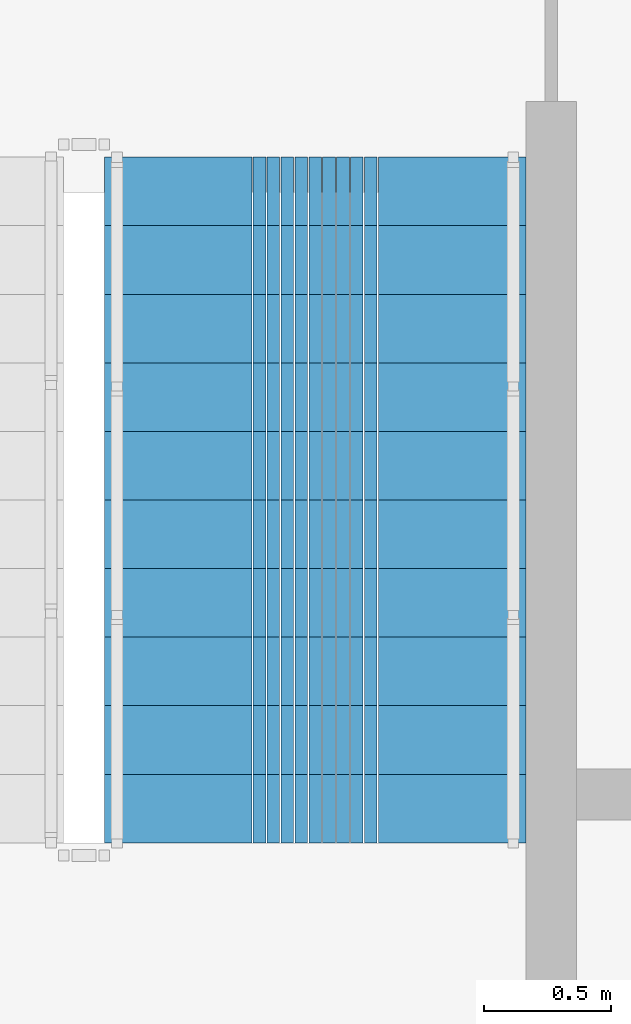
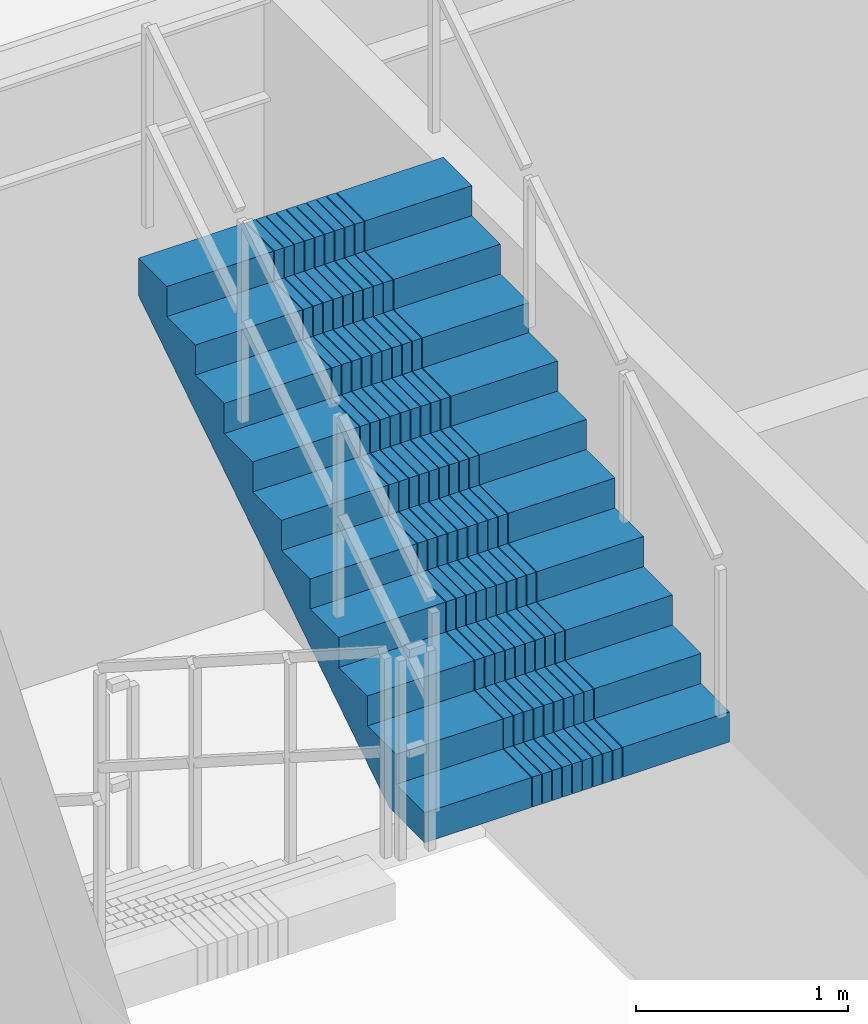
# One storey, part 18 of 21: 1 stair flight, 1 element without a shape of its own.
"""IFC4 building model written with IfcOpenShell, lengths in metres."""

from ifc_helpers import new_model, si_unit, direction, frame, origin, place, context, subcontext, project, spatial, polyline, outline, extrude, material, type_object, element, aggregate, save


model = new_model("IFC4")

# Units and contexts
model_context = context("Model", 3, precision=1e-05, world=origin(), true_north=direction((0.0, 1.0)))
body_context = subcontext(model_context, "Body", "Model", "MODEL_VIEW")
ifc_project = project(units=[si_unit("LENGTHUNIT", "METRE"), si_unit("AREAUNIT", "SQUARE_METRE"), si_unit("VOLUMEUNIT", "CUBIC_METRE"), si_unit("PLANEANGLEUNIT", "RADIAN"), si_unit("MASSUNIT", "GRAM", prefix="KILO")], contexts=[model_context])

# Site, building, storey
site_placement = place(None, origin())
site = spatial("IfcSite", under=ifc_project, at=site_placement, CompositionType="ELEMENT")
building_placement = place(site_placement, origin())
building = spatial("IfcBuilding", under=site, at=building_placement, Name="Saelheon Loggia Tower", CompositionType="ELEMENT")
storey_placement = place(building_placement, frame((0.0, 0.0, 267.39990234375)))
storey = spatial("IfcBuildingStorey", under=building, at=storey_placement, Name="CR5", CompositionType="ELEMENT", Elevation=267.39990234375)

# Stair, stair flight
ifc_material = material(Name="Concrete C40/50", Category="concrete")
stair_type = type_object("IfcStairType", Name="Stair_Plant_Crown", PredefinedType="HALF_TURN_STAIR", material=ifc_material)
stair_placement = place(storey_placement, origin())
stair = element("IfcStair", 1, at=stair_placement, inside=storey, type_object=stair_type, Name="CR5 Crown Plant Stair ST5", PredefinedType="HALF_TURN_STAIR")
stair_flight_type = type_object("IfcStairFlightType", Name="StairFlight_Crown_1520", PredefinedType="STRAIGHT", material=ifc_material)
stair_flight_placement = place(storey_placement, frame((34.5, 20.8701171875, 1.900146484375), z_axis=(0.0, 0.0, 1.0), x_axis=(0.0, 1.0, 0.0)))
stair_flight = element("IfcStairFlight", 2, at=stair_flight_placement, type_object=stair_flight_type, Name="ST5 flight 2", NumberOfRisers=11, NumberOfTreads=10, PredefinedType="STRAIGHT", RiserHeight=0.172727273, TreadLength=0.27, context=body_context, shape_type="SweptSolid", body=[
    extrude(outline(polyline([(0.0, 0.0), (0.0, 0.172607421875), (0.27001953125, 0.172607421875), (0.27001953125, 0.345458984375), (0.5400390625, 0.345458984375), (0.5400390625, 0.51806640625), (0.81005859375, 0.51806640625), (0.81005859375, 0.69091796875), (1.080078125, 0.69091796875), (1.080078125, 0.863525390625), (1.35009765625, 0.863525390625), (1.35009765625, 1.036376953125), (1.6201171875, 1.036376953125), (1.6201171875, 1.208984375), (1.889892578125, 1.208984375), (1.889892578125, 1.3818359375), (2.159912109375, 1.3818359375), (2.159912109375, 1.554443359375), (2.429931640625, 1.554443359375), (2.429931640625, 1.727294921875), (2.699951171875, 1.727294921875), (2.699951171875, 1.89990234375), (2.699951171875, 1.513671875), (0.333984375, 0.0), (0.0, 0.0)])), frame((0.0, -0.2490234375, 0.0), z_axis=(0.0, -1.0, 0.0), x_axis=(1.0, 0.0, 0.0)), (0.0, 0.0, 1.0), 0.5810546875),
    extrude(outline(polyline([(0.0, 0.0), (0.0, 0.172607421875), (0.27001953125, 0.172607421875), (0.27001953125, 0.345458984375), (0.5400390625, 0.345458984375), (0.5400390625, 0.51806640625), (0.81005859375, 0.51806640625), (0.81005859375, 0.69091796875), (1.080078125, 0.69091796875), (1.080078125, 0.863525390625), (1.35009765625, 0.863525390625), (1.35009765625, 1.036376953125), (1.6201171875, 1.036376953125), (1.6201171875, 1.208984375), (1.889892578125, 1.208984375), (1.889892578125, 1.3818359375), (2.159912109375, 1.3818359375), (2.159912109375, 1.554443359375), (2.429931640625, 1.554443359375), (2.429931640625, 1.727294921875), (2.699951171875, 1.727294921875), (2.699951171875, 1.89990234375), (2.699951171875, 1.513671875), (0.333984375, 0.0), (0.0, 0.0)])), frame((0.0, -0.194091796875, 0.0), z_axis=(0.0, -1.0, 0.0), x_axis=(1.0, 0.0, 0.0)), (0.0, 0.0, 1.0), 0.0498046875),
    extrude(outline(polyline([(0.0, 0.0), (0.0, 0.172607421875), (0.27001953125, 0.172607421875), (0.27001953125, 0.345458984375), (0.5400390625, 0.345458984375), (0.5400390625, 0.51806640625), (0.81005859375, 0.51806640625), (0.81005859375, 0.69091796875), (1.080078125, 0.69091796875), (1.080078125, 0.863525390625), (1.35009765625, 0.863525390625), (1.35009765625, 1.036376953125), (1.6201171875, 1.036376953125), (1.6201171875, 1.208984375), (1.889892578125, 1.208984375), (1.889892578125, 1.3818359375), (2.159912109375, 1.3818359375), (2.159912109375, 1.554443359375), (2.429931640625, 1.554443359375), (2.429931640625, 1.727294921875), (2.699951171875, 1.727294921875), (2.699951171875, 1.89990234375), (2.699951171875, 1.513671875), (0.333984375, 0.0), (0.0, 0.0)])), frame((0.0, -0.139404296875, 0.0), z_axis=(0.0, -1.0, 0.0), x_axis=(1.0, 0.0, 0.0)), (0.0, 0.0, 1.0), 0.0498046875),
    extrude(outline(polyline([(0.0, 0.0), (0.0, 0.172607421875), (0.27001953125, 0.172607421875), (0.27001953125, 0.345458984375), (0.5400390625, 0.345458984375), (0.5400390625, 0.51806640625), (0.81005859375, 0.51806640625), (0.81005859375, 0.69091796875), (1.080078125, 0.69091796875), (1.080078125, 0.863525390625), (1.35009765625, 0.863525390625), (1.35009765625, 1.036376953125), (1.6201171875, 1.036376953125), (1.6201171875, 1.208984375), (1.889892578125, 1.208984375), (1.889892578125, 1.3818359375), (2.159912109375, 1.3818359375), (2.159912109375, 1.554443359375), (2.429931640625, 1.554443359375), (2.429931640625, 1.727294921875), (2.699951171875, 1.727294921875), (2.699951171875, 1.89990234375), (2.699951171875, 1.513671875), (0.333984375, 0.0), (0.0, 0.0)])), frame((0.0, -0.084716796875, 0.0), z_axis=(0.0, -1.0, 0.0), x_axis=(1.0, 0.0, 0.0)), (0.0, 0.0, 1.0), 0.0498046875),
    extrude(outline(polyline([(0.0, 0.0), (0.0, 0.172607421875), (0.27001953125, 0.172607421875), (0.27001953125, 0.345458984375), (0.5400390625, 0.345458984375), (0.5400390625, 0.51806640625), (0.81005859375, 0.51806640625), (0.81005859375, 0.69091796875), (1.080078125, 0.69091796875), (1.080078125, 0.863525390625), (1.35009765625, 0.863525390625), (1.35009765625, 1.036376953125), (1.6201171875, 1.036376953125), (1.6201171875, 1.208984375), (1.889892578125, 1.208984375), (1.889892578125, 1.3818359375), (2.159912109375, 1.3818359375), (2.159912109375, 1.554443359375), (2.429931640625, 1.554443359375), (2.429931640625, 1.727294921875), (2.699951171875, 1.727294921875), (2.699951171875, 1.89990234375), (2.699951171875, 1.513671875), (0.333984375, 0.0), (0.0, 0.0)])), frame((0.0, -0.02978515625, 0.0), z_axis=(0.0, -1.0, 0.0), x_axis=(1.0, 0.0, 0.0)), (0.0, 0.0, 1.0), 0.0498046875),
    extrude(outline(polyline([(0.0, 0.0), (0.0, 0.172607421875), (0.27001953125, 0.172607421875), (0.27001953125, 0.345458984375), (0.5400390625, 0.345458984375), (0.5400390625, 0.51806640625), (0.81005859375, 0.51806640625), (0.81005859375, 0.69091796875), (1.080078125, 0.69091796875), (1.080078125, 0.863525390625), (1.35009765625, 0.863525390625), (1.35009765625, 1.036376953125), (1.6201171875, 1.036376953125), (1.6201171875, 1.208984375), (1.889892578125, 1.208984375), (1.889892578125, 1.3818359375), (2.159912109375, 1.3818359375), (2.159912109375, 1.554443359375), (2.429931640625, 1.554443359375), (2.429931640625, 1.727294921875), (2.699951171875, 1.727294921875), (2.699951171875, 1.89990234375), (2.699951171875, 1.513671875), (0.333984375, 0.0), (0.0, 0.0)])), frame((0.0, 0.02490234375, 0.0), z_axis=(0.0, -1.0, 0.0), x_axis=(1.0, 0.0, 0.0)), (0.0, 0.0, 1.0), 0.0498046875),
    extrude(outline(polyline([(0.0, 0.0), (0.0, 0.172607421875), (0.27001953125, 0.172607421875), (0.27001953125, 0.345458984375), (0.5400390625, 0.345458984375), (0.5400390625, 0.51806640625), (0.81005859375, 0.51806640625), (0.81005859375, 0.69091796875), (1.080078125, 0.69091796875), (1.080078125, 0.863525390625), (1.35009765625, 0.863525390625), (1.35009765625, 1.036376953125), (1.6201171875, 1.036376953125), (1.6201171875, 1.208984375), (1.889892578125, 1.208984375), (1.889892578125, 1.3818359375), (2.159912109375, 1.3818359375), (2.159912109375, 1.554443359375), (2.429931640625, 1.554443359375), (2.429931640625, 1.727294921875), (2.699951171875, 1.727294921875), (2.699951171875, 1.89990234375), (2.699951171875, 1.513671875), (0.333984375, 0.0), (0.0, 0.0)])), frame((0.0, 0.07958984375, 0.0), z_axis=(0.0, -1.0, 0.0), x_axis=(1.0, 0.0, 0.0)), (0.0, 0.0, 1.0), 0.0498046875),
    extrude(outline(polyline([(0.0, 0.0), (0.0, 0.172607421875), (0.27001953125, 0.172607421875), (0.27001953125, 0.345458984375), (0.5400390625, 0.345458984375), (0.5400390625, 0.51806640625), (0.81005859375, 0.51806640625), (0.81005859375, 0.69091796875), (1.080078125, 0.69091796875), (1.080078125, 0.863525390625), (1.35009765625, 0.863525390625), (1.35009765625, 1.036376953125), (1.6201171875, 1.036376953125), (1.6201171875, 1.208984375), (1.889892578125, 1.208984375), (1.889892578125, 1.3818359375), (2.159912109375, 1.3818359375), (2.159912109375, 1.554443359375), (2.429931640625, 1.554443359375), (2.429931640625, 1.727294921875), (2.699951171875, 1.727294921875), (2.699951171875, 1.89990234375), (2.699951171875, 1.513671875), (0.333984375, 0.0), (0.0, 0.0)])), frame((0.0, 0.134521484375, 0.0), z_axis=(0.0, -1.0, 0.0), x_axis=(1.0, 0.0, 0.0)), (0.0, 0.0, 1.0), 0.0498046875),
    extrude(outline(polyline([(0.0, 0.0), (0.0, 0.172607421875), (0.27001953125, 0.172607421875), (0.27001953125, 0.345458984375), (0.5400390625, 0.345458984375), (0.5400390625, 0.51806640625), (0.81005859375, 0.51806640625), (0.81005859375, 0.69091796875), (1.080078125, 0.69091796875), (1.080078125, 0.863525390625), (1.35009765625, 0.863525390625), (1.35009765625, 1.036376953125), (1.6201171875, 1.036376953125), (1.6201171875, 1.208984375), (1.889892578125, 1.208984375), (1.889892578125, 1.3818359375), (2.159912109375, 1.3818359375), (2.159912109375, 1.554443359375), (2.429931640625, 1.554443359375), (2.429931640625, 1.727294921875), (2.699951171875, 1.727294921875), (2.699951171875, 1.89990234375), (2.699951171875, 1.513671875), (0.333984375, 0.0), (0.0, 0.0)])), frame((0.0, 0.189208984375, 0.0), z_axis=(0.0, -1.0, 0.0), x_axis=(1.0, 0.0, 0.0)), (0.0, 0.0, 1.0), 0.0498046875),
    extrude(outline(polyline([(0.0, 0.0), (0.0, 0.172607421875), (0.27001953125, 0.172607421875), (0.27001953125, 0.345458984375), (0.5400390625, 0.345458984375), (0.5400390625, 0.51806640625), (0.81005859375, 0.51806640625), (0.81005859375, 0.69091796875), (1.080078125, 0.69091796875), (1.080078125, 0.863525390625), (1.35009765625, 0.863525390625), (1.35009765625, 1.036376953125), (1.6201171875, 1.036376953125), (1.6201171875, 1.208984375), (1.889892578125, 1.208984375), (1.889892578125, 1.3818359375), (2.159912109375, 1.3818359375), (2.159912109375, 1.554443359375), (2.429931640625, 1.554443359375), (2.429931640625, 1.727294921875), (2.699951171875, 1.727294921875), (2.699951171875, 1.89990234375), (2.699951171875, 1.513671875), (0.333984375, 0.0), (0.0, 0.0)])), frame((0.0, 0.243896484375, 0.0), z_axis=(0.0, -1.0, 0.0), x_axis=(1.0, 0.0, 0.0)), (0.0, 0.0, 1.0), 0.0498046875),
    extrude(outline(polyline([(0.0, 0.0), (0.0, 0.172607421875), (0.27001953125, 0.172607421875), (0.27001953125, 0.345458984375), (0.5400390625, 0.345458984375), (0.5400390625, 0.51806640625), (0.81005859375, 0.51806640625), (0.81005859375, 0.69091796875), (1.080078125, 0.69091796875), (1.080078125, 0.863525390625), (1.35009765625, 0.863525390625), (1.35009765625, 1.036376953125), (1.6201171875, 1.036376953125), (1.6201171875, 1.208984375), (1.889892578125, 1.208984375), (1.889892578125, 1.3818359375), (2.159912109375, 1.3818359375), (2.159912109375, 1.554443359375), (2.429931640625, 1.554443359375), (2.429931640625, 1.727294921875), (2.699951171875, 1.727294921875), (2.699951171875, 1.89990234375), (2.699951171875, 1.513671875), (0.333984375, 0.0), (0.0, 0.0)])), frame((0.0, 0.830078125, 0.0), z_axis=(0.0, -1.0, 0.0), x_axis=(1.0, 0.0, 0.0)), (0.0, 0.0, 1.0), 0.5810546875),
])
aggregate(stair, [stair_flight])

save(model, "model.ifc")
